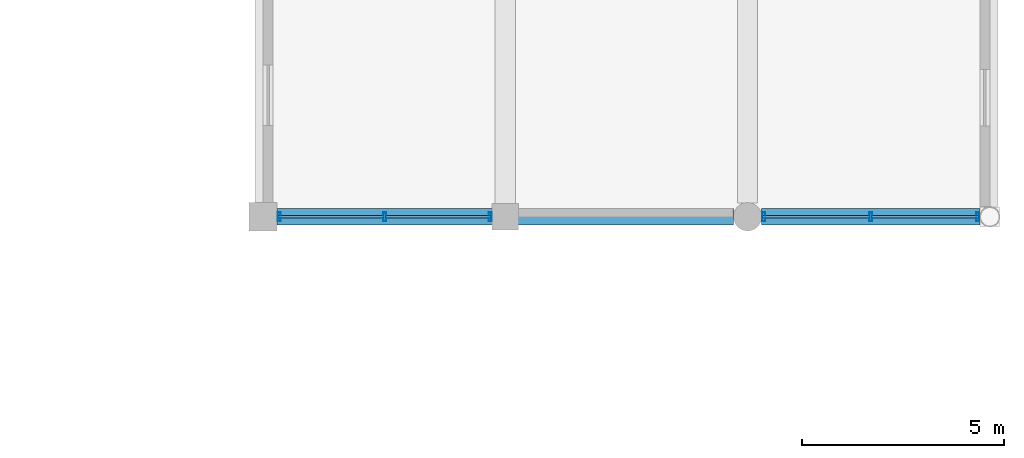
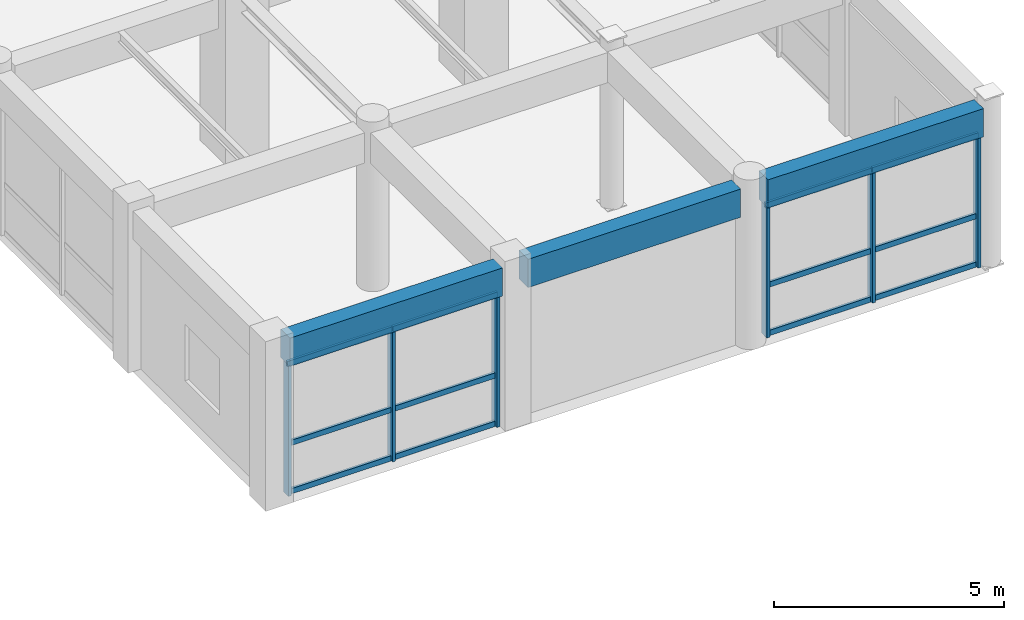
# One storey, part 48 of 116: 18 members, 3 beams, 2 elements without a shape of their own.
"""IFC4 building model written with IfcOpenShell, lengths in metres."""

from ifc_helpers import new_model, si_unit, direction, frame, origin, origin_2d, place, context, subcontext, project, spatial, rectangle, hollow_rectangle, extrude, material, material_profile, profile_set, type_object, element, aggregate, save


model = new_model("IFC4")

# Units and contexts
model_context = context("Model", 3, precision=1e-05, world=origin(), true_north=direction((0.0, 1.0)))
body_context = subcontext(model_context, "Body", "Model", "MODEL_VIEW")
ifc_project = project(units=[si_unit("LENGTHUNIT", "METRE"), si_unit("AREAUNIT", "SQUARE_METRE"), si_unit("VOLUMEUNIT", "CUBIC_METRE"), si_unit("PLANEANGLEUNIT", "RADIAN"), si_unit("MASSUNIT", "GRAM", prefix="KILO"), si_unit("THERMODYNAMICTEMPERATUREUNIT", "KELVIN"), si_unit("POWERUNIT", "WATT")], contexts=[model_context])

# Site, building, storey
site_placement = place(None, origin())
site = spatial("IfcSite", under=ifc_project, at=site_placement, CompositionType="ELEMENT")
building_placement = place(site_placement, origin())
building = spatial("IfcBuilding", under=site, at=building_placement, Name="Phaisarnlok Congress Hotel", CompositionType="ELEMENT")
storey_placement = place(building_placement, frame((0.0, 0.0, 10.5)))
storey = spatial("IfcBuildingStorey", under=building, at=storey_placement, Name="L02", CompositionType="ELEMENT", Elevation=10.5)

# Curtain wall, members
ifc_material_1 = material(Name="Thermally Broken Unitised Aluminium & Low-E Glazing", Category="aluminium")
curtain_wall_type_1 = type_object("IfcCurtainWallType", Name="CW-UNIT-16", PredefinedType="NOTDEFINED", material=ifc_material_1)
curtain_wall_1_placement = place(storey_placement, origin())
curtain_wall_1 = element("IfcCurtainWall", 1, at=curtain_wall_1_placement, inside=storey, type_object=curtain_wall_type_1, Name="Unitised curtain wall CW-16 (L02)", PredefinedType="NOTDEFINED")
ifc_material_2 = material(Name="Anodised Aluminium Alloy 6063-T6", Category="aluminium")
ifc_material_profile_1 = material_profile(ifc_material_2, hollow_rectangle(XDim=0.074951171875, YDim=0.219970703125, WallThickness=0.0048828125, at=origin_2d()), Name="ALU-M 75x220x5")
ifc_profile_set_1 = profile_set([ifc_material_profile_1], Name="Anodised Aluminium Alloy 6063-T6")
member_type_1 = type_object("IfcMemberType", Name="CWM-220", PredefinedType="MULLION", material=ifc_profile_set_1)
member_1_placement = place(storey_placement, frame((162.39990234375, 30.0, 0.0), z_axis=(0.0, 0.0, 1.0), x_axis=(1.0, 0.0, 0.0)))
member_1 = element("IfcMember", 2, at=member_1_placement, type_object=member_type_1, Name="Curtain wall mullion CWM-02", PredefinedType="MULLION", context=body_context, shape_type="SweptSolid", body=[
    extrude(hollow_rectangle(XDim=0.074951171875, YDim=0.219970703125, WallThickness=0.0048828125, at=origin_2d()), origin(), (0.0, 0.0, 1.0), 3.510009765625),
])
member_2_placement = place(storey_placement, frame((165.012451171875, 30.0, 0.0), z_axis=(0.0, 0.0, 1.0), x_axis=(1.0, 0.0, 0.0)))
member_2 = element("IfcMember", 3, at=member_2_placement, type_object=member_type_1, Name="Curtain wall mullion CWM-02", PredefinedType="MULLION", context=body_context, shape_type="SweptSolid", body=[
    extrude(hollow_rectangle(XDim=0.074951171875, YDim=0.219970703125, WallThickness=0.0048828125, at=origin_2d()), origin(), (0.0, 0.0, 1.0), 3.510009765625),
])
member_3_placement = place(storey_placement, frame((167.625, 30.0, 0.0), z_axis=(0.0, 0.0, 1.0), x_axis=(1.0, 0.0, 0.0)))
member_3 = element("IfcMember", 4, at=member_3_placement, type_object=member_type_1, Name="Curtain wall mullion CWM-02", PredefinedType="MULLION", context=body_context, shape_type="SweptSolid", body=[
    extrude(hollow_rectangle(XDim=0.074951171875, YDim=0.219970703125, WallThickness=0.0048828125, at=origin_2d()), origin(), (0.0, 0.0, 1.0), 3.510009765625),
])

curtain_wall_type_2 = type_object("IfcCurtainWallType", Name="CW-UNIT-17", PredefinedType="NOTDEFINED", material=ifc_material_1)
curtain_wall_2_placement = place(storey_placement, origin())
curtain_wall_2 = element("IfcCurtainWall", 5, at=curtain_wall_2_placement, inside=storey, type_object=curtain_wall_type_2, Name="Unitised curtain wall CW-17 (L02)", PredefinedType="NOTDEFINED")
member_4_placement = place(storey_placement, frame((174.39990234375, 30.0, 0.0), z_axis=(0.0, 0.0, 1.0), x_axis=(1.0, 0.0, 0.0)))
member_4 = element("IfcMember", 6, at=member_4_placement, type_object=member_type_1, Name="Curtain wall mullion CWM-02", PredefinedType="MULLION", context=body_context, shape_type="SweptSolid", body=[
    extrude(hollow_rectangle(XDim=0.074951171875, YDim=0.219970703125, WallThickness=0.0048828125, at=origin_2d()), origin(), (0.0, 0.0, 1.0), 3.510009765625),
])
member_5_placement = place(storey_placement, frame((177.048095703125, 30.0, 0.0), z_axis=(0.0, 0.0, 1.0), x_axis=(1.0, 0.0, 0.0)))
member_5 = element("IfcMember", 7, at=member_5_placement, type_object=member_type_1, Name="Curtain wall mullion CWM-02", PredefinedType="MULLION", context=body_context, shape_type="SweptSolid", body=[
    extrude(hollow_rectangle(XDim=0.074951171875, YDim=0.219970703125, WallThickness=0.0048828125, at=origin_2d()), origin(), (0.0, 0.0, 1.0), 3.510009765625),
])
member_6_placement = place(storey_placement, frame((179.696044921875, 30.0, 0.0), z_axis=(0.0, 0.0, 1.0), x_axis=(1.0, 0.0, 0.0)))
member_6 = element("IfcMember", 8, at=member_6_placement, type_object=member_type_1, Name="Curtain wall mullion CWM-02", PredefinedType="MULLION", context=body_context, shape_type="SweptSolid", body=[
    extrude(hollow_rectangle(XDim=0.074951171875, YDim=0.219970703125, WallThickness=0.0048828125, at=origin_2d()), origin(), (0.0, 0.0, 1.0), 3.510009765625),
])

# Member
ifc_material_profile_2 = material_profile(ifc_material_2, hollow_rectangle(XDim=0.06494140625, YDim=0.139892578125, WallThickness=0.00390625, at=origin_2d()), Name="ALU-T 65x140x4")
ifc_profile_set_2 = profile_set([ifc_material_profile_2], Name="Anodised Aluminium Alloy 6063-T6")
member_type_2 = type_object("IfcMemberType", Name="CWT-150", PredefinedType="USERDEFINED", material=ifc_profile_set_2)
member_7_placement = place(storey_placement, frame((162.375, 30.0, 0.050048828125), z_axis=(1.0, 0.0, 0.0), x_axis=(0.0, 1.0, 0.0)))
member_7 = element("IfcMember", 9, at=member_7_placement, type_object=member_type_2, Name="Curtain wall transom CWT-01", ObjectType="TRANSOM", PredefinedType="USERDEFINED", context=body_context, shape_type="SweptSolid", body=[
    extrude(hollow_rectangle(XDim=0.06494140625, YDim=0.139892578125, WallThickness=0.00390625, at=origin_2d()), origin(), (0.0, 0.0, 1.0), 2.62255859375),
])

member_8_placement = place(storey_placement, frame((162.375, 30.0, 1.333740234375), z_axis=(1.0, 0.0, 0.0), x_axis=(0.0, 1.0, 0.0)))
member_8 = element("IfcMember", 10, at=member_8_placement, type_object=member_type_2, Name="Curtain wall transom CWT-01", ObjectType="TRANSOM", PredefinedType="USERDEFINED", context=body_context, shape_type="SweptSolid", body=[
    extrude(hollow_rectangle(XDim=0.06494140625, YDim=0.139892578125, WallThickness=0.00390625, at=origin_2d()), origin(), (0.0, 0.0, 1.0), 2.62255859375),
])

member_9_placement = place(storey_placement, frame((162.375, 30.0, 3.4599609375), z_axis=(1.0, 0.0, 0.0), x_axis=(0.0, 1.0, 0.0)))
member_9 = element("IfcMember", 11, at=member_9_placement, type_object=member_type_2, Name="Curtain wall transom CWT-01", ObjectType="TRANSOM", PredefinedType="USERDEFINED", context=body_context, shape_type="SweptSolid", body=[
    extrude(hollow_rectangle(XDim=0.06494140625, YDim=0.139892578125, WallThickness=0.00390625, at=origin_2d()), origin(), (0.0, 0.0, 1.0), 2.62255859375),
])

member_10_placement = place(storey_placement, frame((165.027587890625, 30.0, 0.050048828125), z_axis=(1.0, 0.0, 0.0), x_axis=(0.0, 1.0, 0.0)))
member_10 = element("IfcMember", 12, at=member_10_placement, type_object=member_type_2, Name="Curtain wall transom CWT-01", ObjectType="TRANSOM", PredefinedType="USERDEFINED", context=body_context, shape_type="SweptSolid", body=[
    extrude(hollow_rectangle(XDim=0.06494140625, YDim=0.139892578125, WallThickness=0.00390625, at=origin_2d()), origin(), (0.0, 0.0, 1.0), 2.622314453125),
])

member_11_placement = place(storey_placement, frame((165.027587890625, 30.0, 1.333740234375), z_axis=(1.0, 0.0, 0.0), x_axis=(0.0, 1.0, 0.0)))
member_11 = element("IfcMember", 13, at=member_11_placement, type_object=member_type_2, Name="Curtain wall transom CWT-01", ObjectType="TRANSOM", PredefinedType="USERDEFINED", context=body_context, shape_type="SweptSolid", body=[
    extrude(hollow_rectangle(XDim=0.06494140625, YDim=0.139892578125, WallThickness=0.00390625, at=origin_2d()), origin(), (0.0, 0.0, 1.0), 2.622314453125),
])

member_12_placement = place(storey_placement, frame((165.027587890625, 30.0, 3.4599609375), z_axis=(1.0, 0.0, 0.0), x_axis=(0.0, 1.0, 0.0)))
member_12 = element("IfcMember", 14, at=member_12_placement, type_object=member_type_2, Name="Curtain wall transom CWT-01", ObjectType="TRANSOM", PredefinedType="USERDEFINED", context=body_context, shape_type="SweptSolid", body=[
    extrude(hollow_rectangle(XDim=0.06494140625, YDim=0.139892578125, WallThickness=0.00390625, at=origin_2d()), origin(), (0.0, 0.0, 1.0), 2.622314453125),
])

aggregate(curtain_wall_1, [member_1, member_2, member_3, member_7, member_8, member_9, member_10, member_11, member_12])

member_13_placement = place(storey_placement, frame((174.375, 30.0, 0.050048828125), z_axis=(1.0, 0.0, 0.0), x_axis=(0.0, 1.0, 0.0)))
member_13 = element("IfcMember", 15, at=member_13_placement, type_object=member_type_2, Name="Curtain wall transom CWT-01", ObjectType="TRANSOM", PredefinedType="USERDEFINED", context=body_context, shape_type="SweptSolid", body=[
    extrude(hollow_rectangle(XDim=0.06494140625, YDim=0.139892578125, WallThickness=0.00390625, at=origin_2d()), origin(), (0.0, 0.0, 1.0), 2.657958984375),
])

member_14_placement = place(storey_placement, frame((174.375, 30.0, 1.333740234375), z_axis=(1.0, 0.0, 0.0), x_axis=(0.0, 1.0, 0.0)))
member_14 = element("IfcMember", 16, at=member_14_placement, type_object=member_type_2, Name="Curtain wall transom CWT-01", ObjectType="TRANSOM", PredefinedType="USERDEFINED", context=body_context, shape_type="SweptSolid", body=[
    extrude(hollow_rectangle(XDim=0.06494140625, YDim=0.139892578125, WallThickness=0.00390625, at=origin_2d()), origin(), (0.0, 0.0, 1.0), 2.657958984375),
])

member_15_placement = place(storey_placement, frame((174.375, 30.0, 3.4599609375), z_axis=(1.0, 0.0, 0.0), x_axis=(0.0, 1.0, 0.0)))
member_15 = element("IfcMember", 17, at=member_15_placement, type_object=member_type_2, Name="Curtain wall transom CWT-01", ObjectType="TRANSOM", PredefinedType="USERDEFINED", context=body_context, shape_type="SweptSolid", body=[
    extrude(hollow_rectangle(XDim=0.06494140625, YDim=0.139892578125, WallThickness=0.00390625, at=origin_2d()), origin(), (0.0, 0.0, 1.0), 2.657958984375),
])

member_16_placement = place(storey_placement, frame((177.06298828125, 30.0, 0.050048828125), z_axis=(1.0, 0.0, 0.0), x_axis=(0.0, 1.0, 0.0)))
member_16 = element("IfcMember", 18, at=member_16_placement, type_object=member_type_2, Name="Curtain wall transom CWT-01", ObjectType="TRANSOM", PredefinedType="USERDEFINED", context=body_context, shape_type="SweptSolid", body=[
    extrude(hollow_rectangle(XDim=0.06494140625, YDim=0.139892578125, WallThickness=0.00390625, at=origin_2d()), origin(), (0.0, 0.0, 1.0), 2.657958984375),
])

member_17_placement = place(storey_placement, frame((177.06298828125, 30.0, 1.333740234375), z_axis=(1.0, 0.0, 0.0), x_axis=(0.0, 1.0, 0.0)))
member_17 = element("IfcMember", 19, at=member_17_placement, type_object=member_type_2, Name="Curtain wall transom CWT-01", ObjectType="TRANSOM", PredefinedType="USERDEFINED", context=body_context, shape_type="SweptSolid", body=[
    extrude(hollow_rectangle(XDim=0.06494140625, YDim=0.139892578125, WallThickness=0.00390625, at=origin_2d()), origin(), (0.0, 0.0, 1.0), 2.657958984375),
])

member_18_placement = place(storey_placement, frame((177.06298828125, 30.0, 3.4599609375), z_axis=(1.0, 0.0, 0.0), x_axis=(0.0, 1.0, 0.0)))
member_18 = element("IfcMember", 20, at=member_18_placement, type_object=member_type_2, Name="Curtain wall transom CWT-01", ObjectType="TRANSOM", PredefinedType="USERDEFINED", context=body_context, shape_type="SweptSolid", body=[
    extrude(hollow_rectangle(XDim=0.06494140625, YDim=0.139892578125, WallThickness=0.00390625, at=origin_2d()), origin(), (0.0, 0.0, 1.0), 2.657958984375),
])

aggregate(curtain_wall_2, [member_4, member_5, member_6, member_13, member_14, member_15, member_16, member_17, member_18])

# Beams
ifc_material_3 = material(Name="Concrete C40/50", Category="concrete")
ifc_material_profile_3 = material_profile(ifc_material_3, rectangle(XDim=0.39990234375, YDim=0.75, at=origin_2d()), Name="RC 400x750")
ifc_profile_set_3 = profile_set([ifc_material_profile_3], Name="Concrete C40/50")
beam_type = type_object("IfcBeamType", Name="SP-RC-400x750", PredefinedType="SPANDREL", material=ifc_profile_set_3)
for number, where, z_axis, x_axis, name in (
    (21, (162.344970703125, 30.0, 3.885009765625), (1.0, 0.0, 0.0), (0.0, 1.0, 0.0), "Beam SP-02"),
    (22, (168.320068359375, 30.0, 3.885009765625), (1.0, 0.0, 0.0), (0.0, 1.0, 0.0), "Beam SP-02"),
):
    element("IfcBeam", number, at=place(storey_placement, frame(where, z_axis=z_axis, x_axis=x_axis)), inside=storey, type_object=beam_type, Name=name, PredefinedType="SPANDREL", context=body_context, shape_type="SweptSolid", body=[
        extrude(rectangle(XDim=0.39990234375, YDim=0.75, at=origin_2d()), origin(), (0.0, 0.0, 1.0), 5.3349609375),
    ])
beam_placement = place(storey_placement, frame((174.344970703125, 30.0, 3.885009765625), z_axis=(1.0, 0.0, 0.0), x_axis=(0.0, 1.0, 0.0)))
element("IfcBeam", 23, at=beam_placement, inside=storey, type_object=beam_type, Name="Beam SP-02", PredefinedType="SPANDREL", context=body_context, shape_type="SweptSolid", body=[
    extrude(rectangle(XDim=0.39990234375, YDim=0.75, at=origin_2d()), origin(), (0.0, 0.0, 1.0), 5.406005859375),
])

save(model, "model.ifc")
